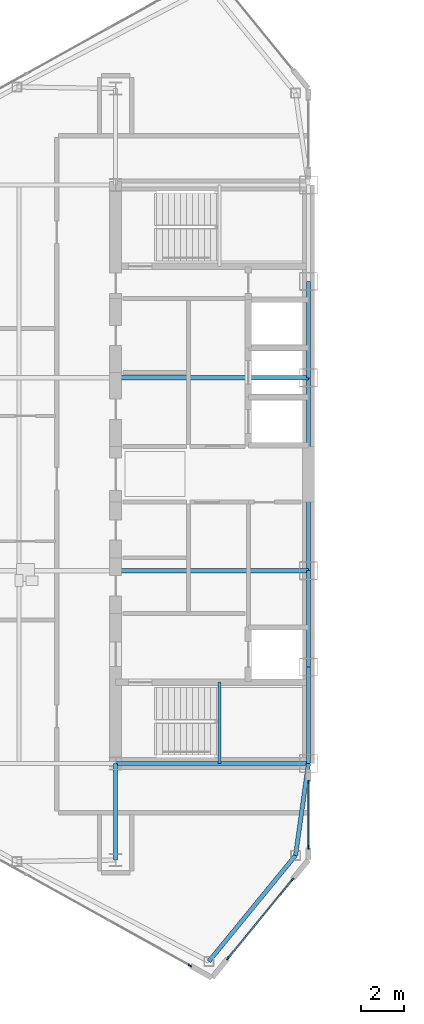
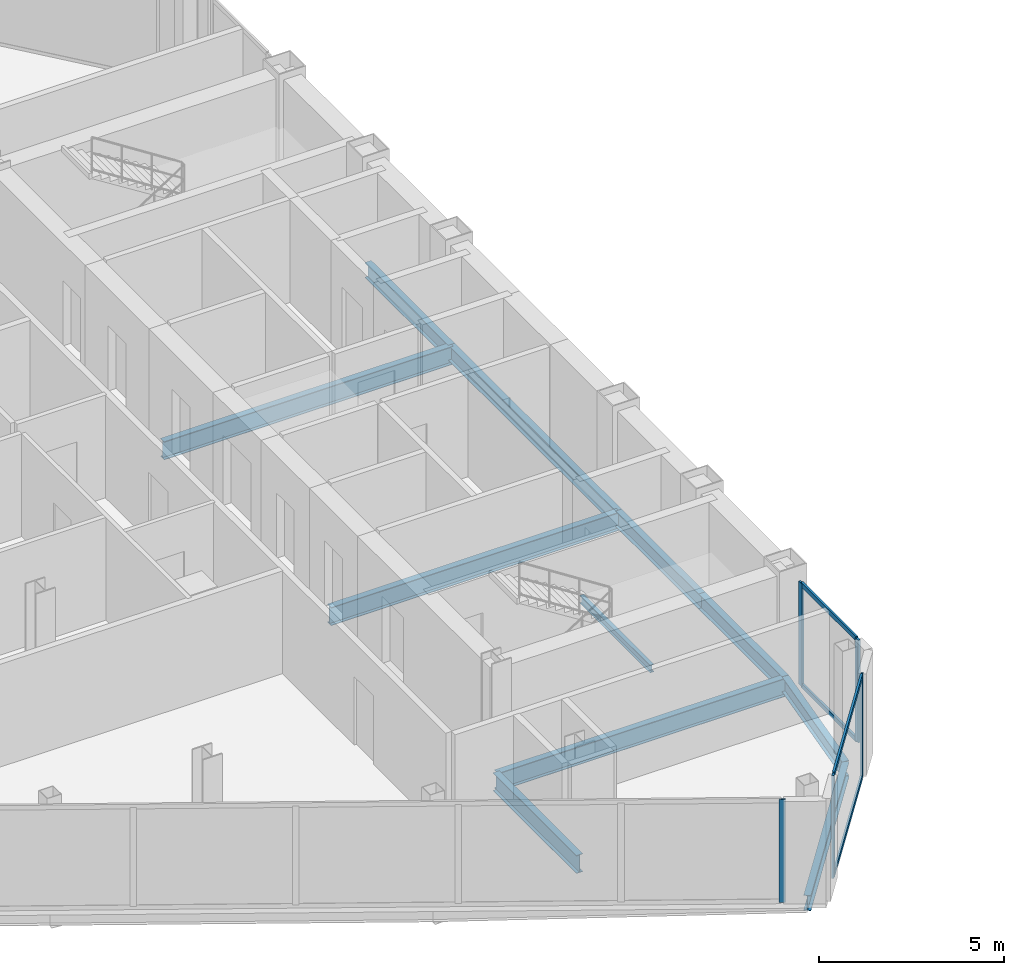
# One storey, part 7 of 26: 11 beams, 9 members, 3 elements without a shape of their own.
"""IFC4 building model written with IfcOpenShell, lengths in metres."""

from ifc_helpers import new_model, si_unit, direction, frame, origin, origin_2d, place, context, subcontext, project, spatial, rectangle, i_section, extrude, source, transform, mapped, material, layer, layer_set, material_profile, profile_set, type_object, type_shapes, element, aggregate, save


model = new_model("IFC4")

# Units and contexts
model_context = context("Model", 3, precision=1e-05, world=origin(), true_north=direction((0.0, 1.0)))
body_context = subcontext(model_context, "Body", "Model", "MODEL_VIEW")
ifc_project = project(units=[si_unit("LENGTHUNIT", "METRE"), si_unit("AREAUNIT", "SQUARE_METRE"), si_unit("VOLUMEUNIT", "CUBIC_METRE"), si_unit("PLANEANGLEUNIT", "RADIAN"), si_unit("MASSUNIT", "GRAM", prefix="KILO")], contexts=[model_context])

# Site, building, storey
site_placement = place(None, origin())
site = spatial("IfcSite", under=ifc_project, at=site_placement, CompositionType="ELEMENT")
building_placement = place(site_placement, origin())
building = spatial("IfcBuilding", under=site, at=building_placement, Name="Seokmaru Belvedere", CompositionType="ELEMENT")
storey_placement = place(building_placement, frame((0.0, 0.0, 192.300048828125)))
storey = spatial("IfcBuildingStorey", under=building, at=storey_placement, Name="L51", CompositionType="ELEMENT", Elevation=192.300048828125)

# Beams
ifc_material_1 = material(Name="Steel SM355 (355 MPa)", Category="steel")
ifc_material_profile_1 = material_profile(ifc_material_1, i_section(OverallWidth=0.199951171875, OverallDepth=0.5, WebThickness=0.010009765625, FlangeThickness=0.01611328125, at=origin_2d()), Name="H-500x200x10x16")
ifc_profile_set_1 = profile_set([ifc_material_profile_1], Name="Steel SM355 (355 MPa)")
beam_type_1 = type_object("IfcBeamType", Name="Perimeter Spandrel Beam H-500", PredefinedType="SPANDREL", material=ifc_profile_set_1)
shared_shape_1 = source(origin(), body_context, "Body", "SweptSolid", [
    extrude(i_section(OverallWidth=0.199951171875, OverallDepth=0.5, WebThickness=0.010009765625, FlangeThickness=0.01611328125, at=origin_2d()), origin(), (0.0, 0.0, 1.0), 4.5),
])
for number, where, z_axis, x_axis, name in (
    (1, (-27.5, -13.5, -0.469970703125), (0.0, 1.0, 0.0), (-1.0, 0.0, 0.0), "L51 W Portal Spine Spandrel 1"),
    (2, (-27.5, -9.0, -0.469970703125), (0.0, 1.0, 0.0), (-1.0, 0.0, 0.0), "L51 W Portal Spine Spandrel 2"),
    (3, (-27.5, 4.5, -0.469970703125), (0.0, 1.0, 0.0), (-1.0, 0.0, 0.0), "L51 W Portal Spine Spandrel 4"),
):
    element("IfcBeam", number, at=place(storey_placement, frame(where, z_axis=z_axis, x_axis=x_axis)), inside=storey, type_object=beam_type_1, Name=name, PredefinedType="SPANDREL", context=body_context, shape_type="MappedRepresentation", body=[
        mapped(shared_shape_1, transform((0.0, 0.0, 0.0), scale=1.0)),
    ])
shared_shape_2 = source(origin(), body_context, "Body", "SweptSolid", [
    extrude(i_section(OverallWidth=0.199951171875, OverallDepth=0.5, WebThickness=0.010009765625, FlangeThickness=0.01611328125, at=origin_2d()), origin(), (0.0, 0.0, 1.0), 9.0),
])
beam_1_placement = place(storey_placement, frame((-27.5, -4.5, -0.469970703125), z_axis=(0.0, 1.0, 0.0), x_axis=(-1.0, 0.0, 0.0)))
element("IfcBeam", 4, at=beam_1_placement, inside=storey, type_object=beam_type_1, Name="L51 W Portal Spine Spandrel 3", PredefinedType="SPANDREL", context=body_context, shape_type="MappedRepresentation", body=[
    mapped(shared_shape_2, transform((0.0, 0.0, 0.0), scale=1.0)),
])
ifc_material_profile_2 = material_profile(ifc_material_1, i_section(OverallWidth=0.199951171875, OverallDepth=0.60009765625, WebThickness=0.010986328125, FlangeThickness=0.01708984375, at=origin_2d()), Name="H-600x200x11x17")
ifc_profile_set_2 = profile_set([ifc_material_profile_2], Name="Steel SM355 (355 MPa)")
beam_type_2 = type_object("IfcBeamType", Name="Primary Floor Girder H-600", PredefinedType="BEAM", material=ifc_profile_set_2)
shared_shape_3 = source(origin(), body_context, "Body", "SweptSolid", [
    extrude(i_section(OverallWidth=0.199951171875, OverallDepth=0.60009765625, WebThickness=0.010986328125, FlangeThickness=0.01708984375, at=origin_2d()), origin(), (0.0, 0.0, 1.0), 9.0),
])
for number, where, z_axis, x_axis, name in (
    (5, (-36.5, -13.5, -0.52001953125), (1.0, 0.0, 0.0), (0.0, 1.0, 0.0), "L51 W Core Tie Girder 1"),
    (6, (-36.5, -4.5, -0.52001953125), (1.0, 0.0, 0.0), (0.0, 1.0, 0.0), "L51 W Core Tie Girder 2"),
    (7, (-36.5, 4.5, -0.52001953125), (1.0, 0.0, 0.0), (0.0, 1.0, 0.0), "L51 W Core Tie Girder 3"),
):
    element("IfcBeam", number, at=place(storey_placement, frame(where, z_axis=z_axis, x_axis=x_axis)), inside=storey, type_object=beam_type_2, Name=name, PredefinedType="BEAM", context=body_context, shape_type="MappedRepresentation", body=[
        mapped(shared_shape_3, transform((0.0, 0.0, 0.0), scale=1.0)),
    ])
shared_shape_4 = source(origin(), body_context, "Body", "SweptSolid", [
    extrude(i_section(OverallWidth=0.199951171875, OverallDepth=0.60009765625, WebThickness=0.010986328125, FlangeThickness=0.01708984375, at=origin_2d()), origin(), (0.0, 0.0, 1.0), 4.5),
])
type_shapes(beam_type_2, [shared_shape_3, shared_shape_4])
beam_2_placement = place(storey_placement, frame((-36.5, -18.0, -0.52001953125), z_axis=(0.0, 1.0, 0.0), x_axis=(-1.0, 0.0, 0.0)))
element("IfcBeam", 8, at=beam_2_placement, inside=storey, type_object=beam_type_2, Name="L51 W Core Shoulder Girder S", PredefinedType="BEAM", context=body_context, shape_type="MappedRepresentation", body=[
    mapped(shared_shape_4, transform((0.0, 0.0, 0.0), scale=1.0)),
])
shared_shape_5 = source(origin(), body_context, "Body", "SweptSolid", [
    extrude(i_section(OverallWidth=0.199951171875, OverallDepth=0.5, WebThickness=0.010009765625, FlangeThickness=0.01611328125, at=origin_2d()), origin(), (0.0, 0.0, 1.0), 6.390380859375),
])
beam_3_placement = place(storey_placement, frame((-32.146728515625, -22.731689453125, -0.469970703125), z_axis=(0.63324403161, 0.7739521926, 0.0), x_axis=(-0.7739521926, 0.63324403161, 0.0)))
element("IfcBeam", 9, at=beam_3_placement, inside=storey, type_object=beam_type_1, Name="L51 W Shoulder Chamfer Spandrel S", PredefinedType="SPANDREL", context=body_context, shape_type="MappedRepresentation", body=[
    mapped(shared_shape_5, transform((0.0, 0.0, 0.0), scale=1.0)),
])
shared_shape_6 = source(origin(), body_context, "Body", "SweptSolid", [
    extrude(i_section(OverallWidth=0.199951171875, OverallDepth=0.5, WebThickness=0.010009765625, FlangeThickness=0.01611328125, at=origin_2d()), origin(), (0.0, 0.0, 1.0), 4.32763671875),
])
type_shapes(beam_type_1, [shared_shape_1, shared_shape_2, shared_shape_5, shared_shape_6])
beam_4_placement = place(storey_placement, frame((-28.10009765625, -17.785888671875, -0.469970703125), z_axis=(0.138664443237, 0.990339422714, 0.0), x_axis=(-0.990339422714, 0.138664443237, 0.0)))
element("IfcBeam", 10, at=beam_4_placement, inside=storey, type_object=beam_type_1, Name="L51 W Shoulder Spine Spandrel S", PredefinedType="SPANDREL", context=body_context, shape_type="MappedRepresentation", body=[
    mapped(shared_shape_6, transform((0.0, 0.0, 0.0), scale=1.0)),
])

# Curtain wall, members
ifc_material_2 = material(Name="Bronze Triple Insulating Glass", Category="glass")
ifc_layer = layer(ifc_material_2, 0.179931640625)
ifc_layer_set = layer_set([ifc_layer], Name="Bronze Triple Insulating Glass")
curtain_wall_type = type_object("IfcCurtainWallType", Name="High-Rise Wind-Corner Curtain Wall System CW-5", PredefinedType="NOTDEFINED", material=ifc_layer_set)
curtain_wall_1_placement = place(storey_placement, origin())
curtain_wall_1 = element("IfcCurtainWall", 11, at=curtain_wall_1_placement, inside=storey, type_object=curtain_wall_type, Name="L51 Curtain Wall WSP_1", PredefinedType="NOTDEFINED")
ifc_material_3 = material(Name="Anodised Bronze Aluminium", Category="aluminium")
ifc_material_profile_3 = material_profile(ifc_material_3, rectangle(XDim=0.06494140625, YDim=0.14990234375, at=origin_2d()), Name="CW-T-65x150")
ifc_profile_set_3 = profile_set([ifc_material_profile_3], Name="Anodised Bronze Aluminium")
member_type_1 = type_object("IfcMemberType", Name="Bronze Unitised Transom 65x150", PredefinedType="USERDEFINED", material=ifc_profile_set_3)
shared_shape_7 = source(origin(), body_context, "Body", "SweptSolid", [
    extrude(rectangle(XDim=0.06494140625, YDim=0.14990234375, at=origin_2d()), origin(), (0.0, 0.0, 1.0), 2.969970703125),
])
member_1_placement = place(storey_placement, frame((-27.5, -17.364990234375, 0.032470703125), z_axis=(0.0, 1.0, 0.0), x_axis=(-1.0, 0.0, 0.0)))
member_1 = element("IfcMember", 12, at=member_1_placement, type_object=member_type_1, Name="CW:L51:WSP_1 Continuous Transom 1", ObjectType="TRANSOM", PredefinedType="USERDEFINED", context=body_context, shape_type="MappedRepresentation", body=[
    mapped(shared_shape_7, transform((0.0, 0.0, 0.0), scale=1.0)),
])
member_2_placement = place(storey_placement, frame((-27.5, -17.364990234375, 3.347412109375), z_axis=(0.0, 1.0, 0.0), x_axis=(-1.0, 0.0, 0.0)))
member_2 = element("IfcMember", 13, at=member_2_placement, type_object=member_type_1, Name="CW:L51:WSP_1 Continuous Transom 2", ObjectType="TRANSOM", PredefinedType="USERDEFINED", context=body_context, shape_type="MappedRepresentation", body=[
    mapped(shared_shape_7, transform((0.0, 0.0, 0.0), scale=1.0)),
])

curtain_wall_2_placement = place(storey_placement, origin())
curtain_wall_2 = element("IfcCurtainWall", 14, at=curtain_wall_2_placement, inside=storey, type_object=curtain_wall_type, Name="L51 Curtain Wall WF6", PredefinedType="NOTDEFINED")
shared_shape_8 = source(origin(), body_context, "Body", "SweptSolid", [
    extrude(rectangle(XDim=0.06494140625, YDim=0.14990234375, at=origin_2d()), origin(), (0.0, 0.0, 1.0), 4.67626953125),
])
type_shapes(member_type_1, [shared_shape_7, shared_shape_8])
member_3_placement = place(storey_placement, frame((-31.230712890625, -22.5595703125, 0.032470703125), z_axis=(0.633277591216, 0.773924733074, 0.0), x_axis=(-0.773924733074, 0.633277591216, 0.0)))
member_3 = element("IfcMember", 15, at=member_3_placement, type_object=member_type_1, Name="CW:L51:WF6 Continuous Transom 1", ObjectType="TRANSOM", PredefinedType="USERDEFINED", context=body_context, shape_type="MappedRepresentation", body=[
    mapped(shared_shape_8, transform((0.0, 0.0, 0.0), scale=1.0)),
])
member_4_placement = place(storey_placement, frame((-31.230712890625, -22.5595703125, 3.347412109375), z_axis=(0.633277591216, 0.773924733074, 0.0), x_axis=(-0.773924733074, 0.633277591216, 0.0)))
member_4 = element("IfcMember", 16, at=member_4_placement, type_object=member_type_1, Name="CW:L51:WF6 Continuous Transom 2", ObjectType="TRANSOM", PredefinedType="USERDEFINED", context=body_context, shape_type="MappedRepresentation", body=[
    mapped(shared_shape_8, transform((0.0, 0.0, 0.0), scale=1.0)),
])

# Member
ifc_material_profile_4 = material_profile(ifc_material_3, rectangle(XDim=0.06494140625, YDim=0.179931640625, at=origin_2d()), Name="CW-M-65x180")
ifc_profile_set_4 = profile_set([ifc_material_profile_4], Name="Anodised Bronze Aluminium")
member_type_2 = type_object("IfcMemberType", Name="Bronze Unitised Mullion 65x180", PredefinedType="MULLION", material=ifc_profile_set_4)
shared_shape_9 = source(origin(), body_context, "Body", "SweptSolid", [
    extrude(rectangle(XDim=0.06494140625, YDim=0.179931640625, at=origin_2d()), origin(), (0.0, 0.0, 1.0), 3.3798828125),
])
type_shapes(member_type_2, [shared_shape_9])
member_5_placement = place(storey_placement, frame((-27.5, -17.3974609375, 0.0), z_axis=(0.0, 0.0, 1.0), x_axis=(-1.0, 0.0, 0.0)))
member_5 = element("IfcMember", 17, at=member_5_placement, type_object=member_type_2, Name="CW:L51:WSP_1 Mullion 1", PredefinedType="MULLION", context=body_context, shape_type="MappedRepresentation", body=[
    mapped(shared_shape_9, transform((0.0, 0.0, 0.0), scale=1.0)),
])

member_6_placement = place(storey_placement, frame((-27.5, -14.362548828125, 0.0), z_axis=(0.0, 0.0, 1.0), x_axis=(-1.0, 0.0, 0.0)))
member_6 = element("IfcMember", 18, at=member_6_placement, type_object=member_type_2, Name="CW:L51:WSP_1 Mullion 2", PredefinedType="MULLION", context=body_context, shape_type="MappedRepresentation", body=[
    mapped(shared_shape_9, transform((0.0, 0.0, 0.0), scale=1.0)),
])

aggregate(curtain_wall_1, [member_5, member_6, member_1, member_2])

# Curtain wall, member
curtain_wall_3_placement = place(storey_placement, origin())
curtain_wall_3 = element("IfcCurtainWall", 19, at=curtain_wall_3_placement, inside=storey, type_object=curtain_wall_type, Name="L51 Curtain Wall WF5", PredefinedType="NOTDEFINED")
member_7_placement = place(storey_placement, frame((-33.033447265625, -22.92529296875, 0.0), z_axis=(0.0, 0.0, 1.0), x_axis=(0.486047125147, 0.873932601598, 0.0)))
member_7 = element("IfcMember", 20, at=member_7_placement, type_object=member_type_2, Name="CW:L51:WF5 Mullion 10", PredefinedType="MULLION", context=body_context, shape_type="MappedRepresentation", body=[
    mapped(shared_shape_9, transform((0.0, 0.0, 0.0), scale=1.0)),
])
aggregate(curtain_wall_3, [member_7])

# Member
member_8_placement = place(storey_placement, frame((-31.251220703125, -22.584716796875, 0.0), z_axis=(0.0, 0.0, 1.0), x_axis=(-0.773944112379, 0.633253907144, 0.0)))
member_8 = element("IfcMember", 21, at=member_8_placement, type_object=member_type_2, Name="CW:L51:WF6 Mullion 1", PredefinedType="MULLION", context=body_context, shape_type="MappedRepresentation", body=[
    mapped(shared_shape_9, transform((0.0, 0.0, 0.0), scale=1.0)),
])

member_9_placement = place(storey_placement, frame((-28.248779296875, -18.915283203125, 0.0), z_axis=(0.0, 0.0, 1.0), x_axis=(-0.773944112379, 0.633253907144, 0.0)))
member_9 = element("IfcMember", 22, at=member_9_placement, type_object=member_type_2, Name="CW:L51:WF6 Mullion 2", PredefinedType="MULLION", context=body_context, shape_type="MappedRepresentation", body=[
    mapped(shared_shape_9, transform((0.0, 0.0, 0.0), scale=1.0)),
])

aggregate(curtain_wall_2, [member_8, member_9, member_3, member_4])

# Beam
ifc_material_profile_5 = material_profile(ifc_material_1, i_section(OverallWidth=0.125, OverallDepth=0.25, WebThickness=0.006103515625, FlangeThickness=0.009033203125, at=origin_2d()), Name="H-250x125x6x9")
ifc_profile_set_5 = profile_set([ifc_material_profile_5], Name="Steel SM355 (355 MPa)")
beam_type_3 = type_object("IfcBeamType", Name="Stair Mid-Landing Support Beam H-250", PredefinedType="JOIST", material=ifc_profile_set_5)
shared_shape_10 = source(origin(), body_context, "Body", "SweptSolid", [
    extrude(i_section(OverallWidth=0.125, OverallDepth=0.25, WebThickness=0.006103515625, FlangeThickness=0.009033203125, at=origin_2d()), origin(), (0.0, 0.0, 1.0), 3.800048828125),
])
type_shapes(beam_type_3, [shared_shape_10])
beam_5_placement = place(storey_placement, frame((-31.64990234375, -13.5, 1.474853515625), z_axis=(0.0, 1.0, 0.0), x_axis=(-1.0, 0.0, 0.0)))
element("IfcBeam", 23, at=beam_5_placement, inside=storey, type_object=beam_type_3, Name="L51 Stair ST-W1 Mid-Landing Support Beam 1", PredefinedType="JOIST", context=body_context, shape_type="MappedRepresentation", body=[
    mapped(shared_shape_10, transform((0.0, 0.0, 0.0), scale=1.0)),
])

save(model, "model.ifc")
